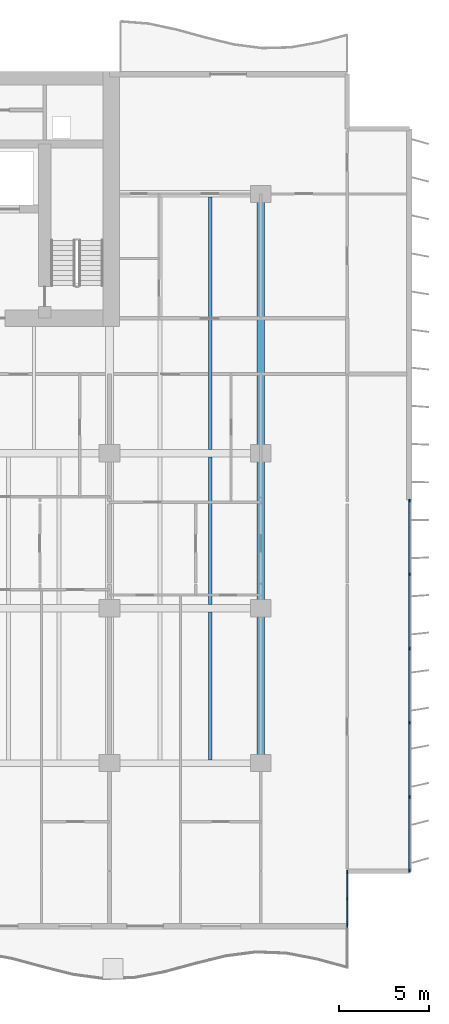
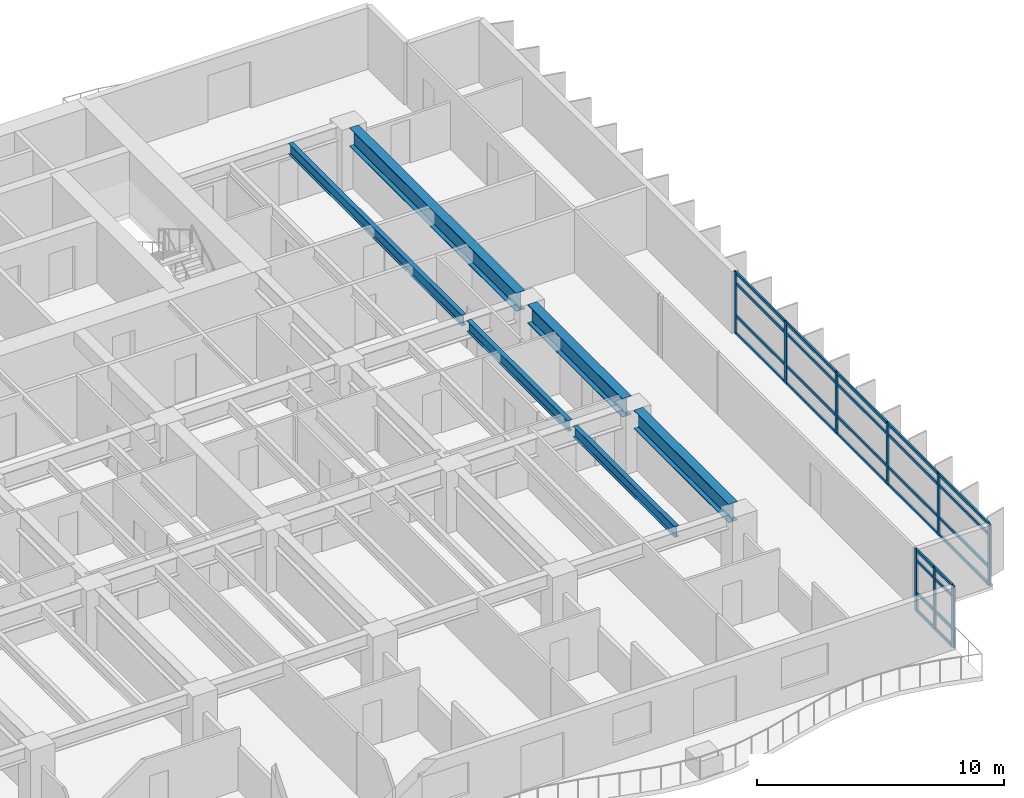
# One storey, part 4 of 17: 37 members, 6 beams, 2 elements without a shape of their own.
"""IFC4 building model written with IfcOpenShell, lengths in metres."""

from ifc_helpers import new_model, si_unit, direction, frame, origin, origin_2d, place, context, subcontext, project, spatial, rectangle, i_section, extrude, material, layer, layer_set, material_profile, profile_set, type_object, element, aggregate, save


model = new_model("IFC4")

# Units and contexts
model_context = context("Model", 3, precision=1e-05, world=origin(), true_north=direction((0.0, 1.0)))
body_context = subcontext(model_context, "Body", "Model", "MODEL_VIEW")
ifc_project = project(units=[si_unit("LENGTHUNIT", "METRE"), si_unit("AREAUNIT", "SQUARE_METRE"), si_unit("VOLUMEUNIT", "CUBIC_METRE"), si_unit("PLANEANGLEUNIT", "RADIAN"), si_unit("MASSUNIT", "GRAM", prefix="KILO")], contexts=[model_context])

# Site, building, storey
site_placement = place(None, origin())
site = spatial("IfcSite", under=ifc_project, at=site_placement, CompositionType="ELEMENT")
building_placement = place(site_placement, origin())
building = spatial("IfcBuilding", under=site, at=building_placement, Name="Caelmar Bay Residences", CompositionType="ELEMENT")
storey_placement = place(building_placement, frame((0.0, 0.0, 63.0)))
storey = spatial("IfcBuildingStorey", under=building, at=storey_placement, Name="L16", CompositionType="ELEMENT", Elevation=63.0)

# Beams
ifc_material_1 = material(Name="Steel ASTM A992 Grade 50", Category="steel")
ifc_material_profile_1 = material_profile(ifc_material_1, i_section(OverallWidth=0.422119140625, OverallDepth=0.925048828125, WebThickness=0.021240234375, FlangeThickness=0.03662109375, FilletRadius=0.020263671875, at=origin_2d()), Name="W36X262")
ifc_profile_set_1 = profile_set([ifc_material_profile_1], Name="Steel ASTM A992 Grade 50")
beam_type_1 = type_object("IfcBeamType", Name="BM-GRD-W36X262", PredefinedType="BEAM", material=ifc_profile_set_1)
beam_1_placement = place(storey_placement, frame((67.89990234375, 12.6650390625, 2.58740234375), z_axis=(0.0, 1.0, 0.0), x_axis=(-1.0, 0.0, 0.0)))
element("IfcBeam", 1, at=beam_1_placement, inside=storey, type_object=beam_type_1, Name="L16 North-South Girder X=67.90 (12.2-20.8)", PredefinedType="BEAM", context=body_context, shape_type="SweptSolid", body=[
    extrude(i_section(OverallWidth=0.422119140625, OverallDepth=0.925048828125, WebThickness=0.021240234375, FlangeThickness=0.03662109375, FilletRadius=0.020263671875, at=origin_2d()), origin(), (0.0, 0.0, 1.0), 7.669921875),
])
beam_2_placement = place(storey_placement, frame((67.89990234375, 21.264892578125, 2.58740234375), z_axis=(0.0, 1.0, 0.0), x_axis=(-1.0, 0.0, 0.0)))
element("IfcBeam", 2, at=beam_2_placement, inside=storey, type_object=beam_type_1, Name="L16 North-South Girder X=67.90 (20.8-29.4)", PredefinedType="BEAM", context=body_context, shape_type="SweptSolid", body=[
    extrude(i_section(OverallWidth=0.422119140625, OverallDepth=0.925048828125, WebThickness=0.021240234375, FlangeThickness=0.03662109375, FilletRadius=0.020263671875, at=origin_2d()), origin(), (0.0, 0.0, 1.0), 7.670166015625),
])
beam_3_placement = place(storey_placement, frame((67.89990234375, 29.864990234375, 2.58740234375), z_axis=(0.0, 1.0, 0.0), x_axis=(-1.0, 0.0, 0.0)))
element("IfcBeam", 3, at=beam_3_placement, inside=storey, type_object=beam_type_1, Name="L16 North-South Girder X=67.90 (29.4-43.8)", PredefinedType="BEAM", context=body_context, shape_type="SweptSolid", body=[
    extrude(i_section(OverallWidth=0.422119140625, OverallDepth=0.925048828125, WebThickness=0.021240234375, FlangeThickness=0.03662109375, FilletRadius=0.020263671875, at=origin_2d()), origin(), (0.0, 0.0, 1.0), 13.469970703125),
])
ifc_material_profile_2 = material_profile(ifc_material_1, i_section(OverallWidth=0.2099609375, OverallDepth=0.535888671875, WebThickness=0.010986328125, FlangeThickness=0.017333984375, FilletRadius=0.0126953125, at=origin_2d()), Name="W21X68")
ifc_profile_set_2 = profile_set([ifc_material_profile_2], Name="Steel ASTM A992 Grade 50")
beam_type_2 = type_object("IfcBeamType", Name="BM-JST-W21X68", PredefinedType="JOIST", material=ifc_profile_set_2)
beam_4_placement = place(storey_placement, frame((65.10009765625, 12.3779296875, 2.781982421875), z_axis=(0.0, 1.0, 0.0), x_axis=(-1.0, 0.0, 0.0)))
element("IfcBeam", 4, at=beam_4_placement, inside=storey, type_object=beam_type_2, Name="L16 Composite Floor Joist 14", PredefinedType="JOIST", context=body_context, shape_type="SweptSolid", body=[
    extrude(i_section(OverallWidth=0.2099609375, OverallDepth=0.535888671875, WebThickness=0.010986328125, FlangeThickness=0.017333984375, FilletRadius=0.0126953125, at=origin_2d()), origin(), (0.0, 0.0, 1.0), 8.211181640625),
])
beam_5_placement = place(storey_placement, frame((65.10009765625, 21.010986328125, 2.781982421875), z_axis=(0.0, 1.0, 0.0), x_axis=(-1.0, 0.0, 0.0)))
element("IfcBeam", 5, at=beam_5_placement, inside=storey, type_object=beam_type_2, Name="L16 Composite Floor Joist 28", PredefinedType="JOIST", context=body_context, shape_type="SweptSolid", body=[
    extrude(i_section(OverallWidth=0.2099609375, OverallDepth=0.535888671875, WebThickness=0.010986328125, FlangeThickness=0.017333984375, FilletRadius=0.0126953125, at=origin_2d()), origin(), (0.0, 0.0, 1.0), 8.177978515625),
])
beam_6_placement = place(storey_placement, frame((65.10009765625, 29.611083984375, 2.781982421875), z_axis=(0.0, 1.0, 0.0), x_axis=(-1.0, 0.0, 0.0)))
element("IfcBeam", 6, at=beam_6_placement, inside=storey, type_object=beam_type_2, Name="L16 Composite Floor Joist 37", PredefinedType="JOIST", context=body_context, shape_type="SweptSolid", body=[
    extrude(i_section(OverallWidth=0.2099609375, OverallDepth=0.535888671875, WebThickness=0.010986328125, FlangeThickness=0.017333984375, FilletRadius=0.0126953125, at=origin_2d()), origin(), (0.0, 0.0, 1.0), 14.010986328125),
])

# Curtain wall, members
ifc_material_2 = material(Name="Anodised bronze aluminium 6063-T6 and laminated glass", Category="aluminium")
ifc_layer_1 = layer(ifc_material_2, 0.179931640625)
ifc_layer_set_1 = layer_set([ifc_layer_1], Name="Anodised bronze aluminium 6063-T6 and laminated glass")
curtain_wall_type_1 = type_object("IfcCurtainWallType", Name="CW6-NTC", PredefinedType="NOTDEFINED", material=ifc_layer_set_1)
curtain_wall_1_placement = place(storey_placement, origin())
curtain_wall_1 = element("IfcCurtainWall", 7, at=curtain_wall_1_placement, inside=storey, type_object=curtain_wall_type_1, Name="CW6 curtain wall L16", PredefinedType="NOTDEFINED")
ifc_material_3 = material(Name="Anodised bronze aluminium 6063-T6", Category="aluminium")
ifc_material_profile_3 = material_profile(ifc_material_3, rectangle(XDim=0.080078125, YDim=0.179931640625, at=origin_2d()), Name="CWM-80X180")
ifc_profile_set_3 = profile_set([ifc_material_profile_3], Name="Anodised bronze aluminium 6063-T6")
member_type_1 = type_object("IfcMemberType", Name="CWM-180", PredefinedType="MULLION", material=ifc_profile_set_3)
member_1_placement = place(storey_placement, frame((72.699951171875, 3.18994140625, 0.0), z_axis=(0.0, 0.0, 1.0), x_axis=(-1.0, 0.0, 0.0)))
member_1 = element("IfcMember", 8, at=member_1_placement, type_object=member_type_1, Name="CW6 mullion 1", PredefinedType="MULLION", context=body_context, shape_type="SweptSolid", body=[
    extrude(rectangle(XDim=0.080078125, YDim=0.179931640625, at=origin_2d()), origin(), (0.0, 0.0, 1.0), 3.050048828125),
])
member_2_placement = place(storey_placement, frame((72.699951171875, 4.675048828125, 0.0), z_axis=(0.0, 0.0, 1.0), x_axis=(-1.0, 0.0, 0.0)))
member_2 = element("IfcMember", 9, at=member_2_placement, type_object=member_type_1, Name="CW6 mullion 2", PredefinedType="MULLION", context=body_context, shape_type="SweptSolid", body=[
    extrude(rectangle(XDim=0.080078125, YDim=0.179931640625, at=origin_2d()), origin(), (0.0, 0.0, 1.0), 3.050048828125),
])
member_3_placement = place(storey_placement, frame((72.699951171875, 6.159912109375, 0.0), z_axis=(0.0, 0.0, 1.0), x_axis=(-1.0, 0.0, 0.0)))
member_3 = element("IfcMember", 10, at=member_3_placement, type_object=member_type_1, Name="CW6 mullion 3", PredefinedType="MULLION", context=body_context, shape_type="SweptSolid", body=[
    extrude(rectangle(XDim=0.080078125, YDim=0.179931640625, at=origin_2d()), origin(), (0.0, 0.0, 1.0), 3.050048828125),
])

ifc_layer_2 = layer(ifc_material_2, 0.179931640625)
ifc_layer_set_2 = layer_set([ifc_layer_2], Name="Anodised bronze aluminium 6063-T6 and laminated glass")
curtain_wall_type_2 = type_object("IfcCurtainWallType", Name="CW2-Z1", PredefinedType="NOTDEFINED", material=ifc_layer_set_2)
curtain_wall_2_placement = place(storey_placement, origin())
curtain_wall_2 = element("IfcCurtainWall", 11, at=curtain_wall_2_placement, inside=storey, type_object=curtain_wall_type_2, Name="CW2 curtain wall L16", PredefinedType="NOTDEFINED")
member_4_placement = place(storey_placement, frame((76.14990234375, 26.760009765625, 0.0), z_axis=(0.0, 0.0, 1.0), x_axis=(1.0, 0.0, 0.0)))
member_4 = element("IfcMember", 12, at=member_4_placement, type_object=member_type_1, Name="CW2 mullion 1", PredefinedType="MULLION", context=body_context, shape_type="SweptSolid", body=[
    extrude(rectangle(XDim=0.080078125, YDim=0.179931640625, at=origin_2d()), origin(), (0.0, 0.0, 1.0), 3.050048828125),
])
member_5_placement = place(storey_placement, frame((76.14990234375, 22.679931640625, 0.0), z_axis=(0.0, 0.0, 1.0), x_axis=(1.0, 0.0, 0.0)))
member_5 = element("IfcMember", 13, at=member_5_placement, type_object=member_type_1, Name="CW2 mullion 2", PredefinedType="MULLION", context=body_context, shape_type="SweptSolid", body=[
    extrude(rectangle(XDim=0.080078125, YDim=0.179931640625, at=origin_2d()), origin(), (0.0, 0.0, 1.0), 3.050048828125),
])
member_6_placement = place(storey_placement, frame((76.14990234375, 18.56005859375, 0.0), z_axis=(0.0, 0.0, 1.0), x_axis=(1.0, 0.0, 0.0)))
member_6 = element("IfcMember", 14, at=member_6_placement, type_object=member_type_1, Name="CW2 mullion 3", PredefinedType="MULLION", context=body_context, shape_type="SweptSolid", body=[
    extrude(rectangle(XDim=0.080078125, YDim=0.179931640625, at=origin_2d()), origin(), (0.0, 0.0, 1.0), 3.050048828125),
])
member_7_placement = place(storey_placement, frame((76.14990234375, 14.43994140625, 0.0), z_axis=(0.0, 0.0, 1.0), x_axis=(1.0, 0.0, 0.0)))
member_7 = element("IfcMember", 15, at=member_7_placement, type_object=member_type_1, Name="CW2 mullion 4", PredefinedType="MULLION", context=body_context, shape_type="SweptSolid", body=[
    extrude(rectangle(XDim=0.080078125, YDim=0.179931640625, at=origin_2d()), origin(), (0.0, 0.0, 1.0), 3.050048828125),
])
member_8_placement = place(storey_placement, frame((76.14990234375, 10.320068359375, 0.0), z_axis=(0.0, 0.0, 1.0), x_axis=(1.0, 0.0, 0.0)))
member_8 = element("IfcMember", 16, at=member_8_placement, type_object=member_type_1, Name="CW2 mullion 5", PredefinedType="MULLION", context=body_context, shape_type="SweptSolid", body=[
    extrude(rectangle(XDim=0.080078125, YDim=0.179931640625, at=origin_2d()), origin(), (0.0, 0.0, 1.0), 3.050048828125),
])
member_9_placement = place(storey_placement, frame((76.14990234375, 6.239990234375, 0.0), z_axis=(0.0, 0.0, 1.0), x_axis=(1.0, 0.0, 0.0)))
member_9 = element("IfcMember", 17, at=member_9_placement, type_object=member_type_1, Name="CW2 mullion 6", PredefinedType="MULLION", context=body_context, shape_type="SweptSolid", body=[
    extrude(rectangle(XDim=0.080078125, YDim=0.179931640625, at=origin_2d()), origin(), (0.0, 0.0, 1.0), 3.050048828125),
])

# Member
ifc_material_profile_4 = material_profile(ifc_material_3, rectangle(XDim=0.080078125, YDim=0.139892578125, at=origin_2d()), Name="CWT-80X140")
ifc_profile_set_4 = profile_set([ifc_material_profile_4], Name="Anodised bronze aluminium 6063-T6")
member_type_2 = type_object("IfcMemberType", Name="CWT-140", PredefinedType="NOTDEFINED", material=ifc_profile_set_4)
member_10_placement = place(storey_placement, frame((72.699951171875, 3.22998046875, 0.0400390625), z_axis=(0.0, 1.0, 0.0), x_axis=(-1.0, 0.0, 0.0)))
member_10 = element("IfcMember", 18, at=member_10_placement, type_object=member_type_2, Name="CW6 transom 1.1", ObjectType="TRANSOM", PredefinedType="USERDEFINED", context=body_context, shape_type="SweptSolid", body=[
    extrude(rectangle(XDim=0.080078125, YDim=0.139892578125, at=origin_2d()), origin(), (0.0, 0.0, 1.0), 1.405029296875),
])

member_11_placement = place(storey_placement, frame((72.699951171875, 3.22998046875, 0.89990234375), z_axis=(0.0, 1.0, 0.0), x_axis=(-1.0, 0.0, 0.0)))
member_11 = element("IfcMember", 19, at=member_11_placement, type_object=member_type_2, Name="CW6 transom 1.2", ObjectType="TRANSOM", PredefinedType="USERDEFINED", context=body_context, shape_type="SweptSolid", body=[
    extrude(rectangle(XDim=0.080078125, YDim=0.139892578125, at=origin_2d()), origin(), (0.0, 0.0, 1.0), 1.405029296875),
])

member_12_placement = place(storey_placement, frame((72.699951171875, 3.22998046875, 2.5), z_axis=(0.0, 1.0, 0.0), x_axis=(-1.0, 0.0, 0.0)))
member_12 = element("IfcMember", 20, at=member_12_placement, type_object=member_type_2, Name="CW6 transom 1.3", ObjectType="TRANSOM", PredefinedType="USERDEFINED", context=body_context, shape_type="SweptSolid", body=[
    extrude(rectangle(XDim=0.080078125, YDim=0.139892578125, at=origin_2d()), origin(), (0.0, 0.0, 1.0), 1.405029296875),
])

member_13_placement = place(storey_placement, frame((72.699951171875, 3.22998046875, 3.010009765625), z_axis=(0.0, 1.0, 0.0), x_axis=(-1.0, 0.0, 0.0)))
member_13 = element("IfcMember", 21, at=member_13_placement, type_object=member_type_2, Name="CW6 transom 1.4", ObjectType="TRANSOM", PredefinedType="USERDEFINED", context=body_context, shape_type="SweptSolid", body=[
    extrude(rectangle(XDim=0.080078125, YDim=0.139892578125, at=origin_2d()), origin(), (0.0, 0.0, 1.0), 1.405029296875),
])

member_14_placement = place(storey_placement, frame((72.699951171875, 4.715087890625, 0.0400390625), z_axis=(0.0, 1.0, 0.0), x_axis=(-1.0, 0.0, 0.0)))
member_14 = element("IfcMember", 22, at=member_14_placement, type_object=member_type_2, Name="CW6 transom 2.1", ObjectType="TRANSOM", PredefinedType="USERDEFINED", context=body_context, shape_type="SweptSolid", body=[
    extrude(rectangle(XDim=0.080078125, YDim=0.139892578125, at=origin_2d()), origin(), (0.0, 0.0, 1.0), 1.405029296875),
])

member_15_placement = place(storey_placement, frame((72.699951171875, 4.715087890625, 0.89990234375), z_axis=(0.0, 1.0, 0.0), x_axis=(-1.0, 0.0, 0.0)))
member_15 = element("IfcMember", 23, at=member_15_placement, type_object=member_type_2, Name="CW6 transom 2.2", ObjectType="TRANSOM", PredefinedType="USERDEFINED", context=body_context, shape_type="SweptSolid", body=[
    extrude(rectangle(XDim=0.080078125, YDim=0.139892578125, at=origin_2d()), origin(), (0.0, 0.0, 1.0), 1.405029296875),
])

member_16_placement = place(storey_placement, frame((72.699951171875, 4.715087890625, 2.5), z_axis=(0.0, 1.0, 0.0), x_axis=(-1.0, 0.0, 0.0)))
member_16 = element("IfcMember", 24, at=member_16_placement, type_object=member_type_2, Name="CW6 transom 2.3", ObjectType="TRANSOM", PredefinedType="USERDEFINED", context=body_context, shape_type="SweptSolid", body=[
    extrude(rectangle(XDim=0.080078125, YDim=0.139892578125, at=origin_2d()), origin(), (0.0, 0.0, 1.0), 1.405029296875),
])

member_17_placement = place(storey_placement, frame((72.699951171875, 4.715087890625, 3.010009765625), z_axis=(0.0, 1.0, 0.0), x_axis=(-1.0, 0.0, 0.0)))
member_17 = element("IfcMember", 25, at=member_17_placement, type_object=member_type_2, Name="CW6 transom 2.4", ObjectType="TRANSOM", PredefinedType="USERDEFINED", context=body_context, shape_type="SweptSolid", body=[
    extrude(rectangle(XDim=0.080078125, YDim=0.139892578125, at=origin_2d()), origin(), (0.0, 0.0, 1.0), 1.405029296875),
])

aggregate(curtain_wall_1, [member_1, member_2, member_3, member_10, member_11, member_12, member_13, member_14, member_15, member_16, member_17])

member_18_placement = place(storey_placement, frame((76.14990234375, 26.719970703125, 0.0400390625), z_axis=(0.0, -1.0, 0.0), x_axis=(1.0, 0.0, 0.0)))
member_18 = element("IfcMember", 26, at=member_18_placement, type_object=member_type_2, Name="CW2 transom 1.1", ObjectType="TRANSOM", PredefinedType="USERDEFINED", context=body_context, shape_type="SweptSolid", body=[
    extrude(rectangle(XDim=0.080078125, YDim=0.139892578125, at=origin_2d()), origin(), (0.0, 0.0, 1.0), 4.0),
])

member_19_placement = place(storey_placement, frame((76.14990234375, 26.719970703125, 0.89990234375), z_axis=(0.0, -1.0, 0.0), x_axis=(1.0, 0.0, 0.0)))
member_19 = element("IfcMember", 27, at=member_19_placement, type_object=member_type_2, Name="CW2 transom 1.2", ObjectType="TRANSOM", PredefinedType="USERDEFINED", context=body_context, shape_type="SweptSolid", body=[
    extrude(rectangle(XDim=0.080078125, YDim=0.139892578125, at=origin_2d()), origin(), (0.0, 0.0, 1.0), 4.0),
])

member_20_placement = place(storey_placement, frame((76.14990234375, 26.719970703125, 2.5), z_axis=(0.0, -1.0, 0.0), x_axis=(1.0, 0.0, 0.0)))
member_20 = element("IfcMember", 28, at=member_20_placement, type_object=member_type_2, Name="CW2 transom 1.3", ObjectType="TRANSOM", PredefinedType="USERDEFINED", context=body_context, shape_type="SweptSolid", body=[
    extrude(rectangle(XDim=0.080078125, YDim=0.139892578125, at=origin_2d()), origin(), (0.0, 0.0, 1.0), 4.0),
])

member_21_placement = place(storey_placement, frame((76.14990234375, 26.719970703125, 3.010009765625), z_axis=(0.0, -1.0, 0.0), x_axis=(1.0, 0.0, 0.0)))
member_21 = element("IfcMember", 29, at=member_21_placement, type_object=member_type_2, Name="CW2 transom 1.4", ObjectType="TRANSOM", PredefinedType="USERDEFINED", context=body_context, shape_type="SweptSolid", body=[
    extrude(rectangle(XDim=0.080078125, YDim=0.139892578125, at=origin_2d()), origin(), (0.0, 0.0, 1.0), 4.0),
])

member_22_placement = place(storey_placement, frame((76.14990234375, 22.639892578125, 0.0400390625), z_axis=(0.0, -1.0, 0.0), x_axis=(1.0, 0.0, 0.0)))
member_22 = element("IfcMember", 30, at=member_22_placement, type_object=member_type_2, Name="CW2 transom 2.1", ObjectType="TRANSOM", PredefinedType="USERDEFINED", context=body_context, shape_type="SweptSolid", body=[
    extrude(rectangle(XDim=0.080078125, YDim=0.139892578125, at=origin_2d()), origin(), (0.0, 0.0, 1.0), 4.039794921875),
])

member_23_placement = place(storey_placement, frame((76.14990234375, 22.639892578125, 0.89990234375), z_axis=(0.0, -1.0, 0.0), x_axis=(1.0, 0.0, 0.0)))
member_23 = element("IfcMember", 31, at=member_23_placement, type_object=member_type_2, Name="CW2 transom 2.2", ObjectType="TRANSOM", PredefinedType="USERDEFINED", context=body_context, shape_type="SweptSolid", body=[
    extrude(rectangle(XDim=0.080078125, YDim=0.139892578125, at=origin_2d()), origin(), (0.0, 0.0, 1.0), 4.039794921875),
])

member_24_placement = place(storey_placement, frame((76.14990234375, 22.639892578125, 2.5), z_axis=(0.0, -1.0, 0.0), x_axis=(1.0, 0.0, 0.0)))
member_24 = element("IfcMember", 32, at=member_24_placement, type_object=member_type_2, Name="CW2 transom 2.3", ObjectType="TRANSOM", PredefinedType="USERDEFINED", context=body_context, shape_type="SweptSolid", body=[
    extrude(rectangle(XDim=0.080078125, YDim=0.139892578125, at=origin_2d()), origin(), (0.0, 0.0, 1.0), 4.039794921875),
])

member_25_placement = place(storey_placement, frame((76.14990234375, 22.639892578125, 3.010009765625), z_axis=(0.0, -1.0, 0.0), x_axis=(1.0, 0.0, 0.0)))
member_25 = element("IfcMember", 33, at=member_25_placement, type_object=member_type_2, Name="CW2 transom 2.4", ObjectType="TRANSOM", PredefinedType="USERDEFINED", context=body_context, shape_type="SweptSolid", body=[
    extrude(rectangle(XDim=0.080078125, YDim=0.139892578125, at=origin_2d()), origin(), (0.0, 0.0, 1.0), 4.039794921875),
])

member_26_placement = place(storey_placement, frame((76.14990234375, 18.52001953125, 0.0400390625), z_axis=(0.0, -1.0, 0.0), x_axis=(1.0, 0.0, 0.0)))
member_26 = element("IfcMember", 34, at=member_26_placement, type_object=member_type_2, Name="CW2 transom 3.1", ObjectType="TRANSOM", PredefinedType="USERDEFINED", context=body_context, shape_type="SweptSolid", body=[
    extrude(rectangle(XDim=0.080078125, YDim=0.139892578125, at=origin_2d()), origin(), (0.0, 0.0, 1.0), 4.0400390625),
])

member_27_placement = place(storey_placement, frame((76.14990234375, 18.52001953125, 0.89990234375), z_axis=(0.0, -1.0, 0.0), x_axis=(1.0, 0.0, 0.0)))
member_27 = element("IfcMember", 35, at=member_27_placement, type_object=member_type_2, Name="CW2 transom 3.2", ObjectType="TRANSOM", PredefinedType="USERDEFINED", context=body_context, shape_type="SweptSolid", body=[
    extrude(rectangle(XDim=0.080078125, YDim=0.139892578125, at=origin_2d()), origin(), (0.0, 0.0, 1.0), 4.0400390625),
])

member_28_placement = place(storey_placement, frame((76.14990234375, 18.52001953125, 2.5), z_axis=(0.0, -1.0, 0.0), x_axis=(1.0, 0.0, 0.0)))
member_28 = element("IfcMember", 36, at=member_28_placement, type_object=member_type_2, Name="CW2 transom 3.3", ObjectType="TRANSOM", PredefinedType="USERDEFINED", context=body_context, shape_type="SweptSolid", body=[
    extrude(rectangle(XDim=0.080078125, YDim=0.139892578125, at=origin_2d()), origin(), (0.0, 0.0, 1.0), 4.0400390625),
])

member_29_placement = place(storey_placement, frame((76.14990234375, 18.52001953125, 3.010009765625), z_axis=(0.0, -1.0, 0.0), x_axis=(1.0, 0.0, 0.0)))
member_29 = element("IfcMember", 37, at=member_29_placement, type_object=member_type_2, Name="CW2 transom 3.4", ObjectType="TRANSOM", PredefinedType="USERDEFINED", context=body_context, shape_type="SweptSolid", body=[
    extrude(rectangle(XDim=0.080078125, YDim=0.139892578125, at=origin_2d()), origin(), (0.0, 0.0, 1.0), 4.0400390625),
])

member_30_placement = place(storey_placement, frame((76.14990234375, 14.39990234375, 0.0400390625), z_axis=(0.0, -1.0, 0.0), x_axis=(1.0, 0.0, 0.0)))
member_30 = element("IfcMember", 38, at=member_30_placement, type_object=member_type_2, Name="CW2 transom 4.1", ObjectType="TRANSOM", PredefinedType="USERDEFINED", context=body_context, shape_type="SweptSolid", body=[
    extrude(rectangle(XDim=0.080078125, YDim=0.139892578125, at=origin_2d()), origin(), (0.0, 0.0, 1.0), 4.039794921875),
])

member_31_placement = place(storey_placement, frame((76.14990234375, 14.39990234375, 0.89990234375), z_axis=(0.0, -1.0, 0.0), x_axis=(1.0, 0.0, 0.0)))
member_31 = element("IfcMember", 39, at=member_31_placement, type_object=member_type_2, Name="CW2 transom 4.2", ObjectType="TRANSOM", PredefinedType="USERDEFINED", context=body_context, shape_type="SweptSolid", body=[
    extrude(rectangle(XDim=0.080078125, YDim=0.139892578125, at=origin_2d()), origin(), (0.0, 0.0, 1.0), 4.039794921875),
])

member_32_placement = place(storey_placement, frame((76.14990234375, 14.39990234375, 2.5), z_axis=(0.0, -1.0, 0.0), x_axis=(1.0, 0.0, 0.0)))
member_32 = element("IfcMember", 40, at=member_32_placement, type_object=member_type_2, Name="CW2 transom 4.3", ObjectType="TRANSOM", PredefinedType="USERDEFINED", context=body_context, shape_type="SweptSolid", body=[
    extrude(rectangle(XDim=0.080078125, YDim=0.139892578125, at=origin_2d()), origin(), (0.0, 0.0, 1.0), 4.039794921875),
])

member_33_placement = place(storey_placement, frame((76.14990234375, 14.39990234375, 3.010009765625), z_axis=(0.0, -1.0, 0.0), x_axis=(1.0, 0.0, 0.0)))
member_33 = element("IfcMember", 41, at=member_33_placement, type_object=member_type_2, Name="CW2 transom 4.4", ObjectType="TRANSOM", PredefinedType="USERDEFINED", context=body_context, shape_type="SweptSolid", body=[
    extrude(rectangle(XDim=0.080078125, YDim=0.139892578125, at=origin_2d()), origin(), (0.0, 0.0, 1.0), 4.039794921875),
])

member_34_placement = place(storey_placement, frame((76.14990234375, 10.280029296875, 0.0400390625), z_axis=(0.0, -1.0, 0.0), x_axis=(1.0, 0.0, 0.0)))
member_34 = element("IfcMember", 42, at=member_34_placement, type_object=member_type_2, Name="CW2 transom 5.1", ObjectType="TRANSOM", PredefinedType="USERDEFINED", context=body_context, shape_type="SweptSolid", body=[
    extrude(rectangle(XDim=0.080078125, YDim=0.139892578125, at=origin_2d()), origin(), (0.0, 0.0, 1.0), 4.0),
])

member_35_placement = place(storey_placement, frame((76.14990234375, 10.280029296875, 0.89990234375), z_axis=(0.0, -1.0, 0.0), x_axis=(1.0, 0.0, 0.0)))
member_35 = element("IfcMember", 43, at=member_35_placement, type_object=member_type_2, Name="CW2 transom 5.2", ObjectType="TRANSOM", PredefinedType="USERDEFINED", context=body_context, shape_type="SweptSolid", body=[
    extrude(rectangle(XDim=0.080078125, YDim=0.139892578125, at=origin_2d()), origin(), (0.0, 0.0, 1.0), 4.0),
])

member_36_placement = place(storey_placement, frame((76.14990234375, 10.280029296875, 2.5), z_axis=(0.0, -1.0, 0.0), x_axis=(1.0, 0.0, 0.0)))
member_36 = element("IfcMember", 44, at=member_36_placement, type_object=member_type_2, Name="CW2 transom 5.3", ObjectType="TRANSOM", PredefinedType="USERDEFINED", context=body_context, shape_type="SweptSolid", body=[
    extrude(rectangle(XDim=0.080078125, YDim=0.139892578125, at=origin_2d()), origin(), (0.0, 0.0, 1.0), 4.0),
])

member_37_placement = place(storey_placement, frame((76.14990234375, 10.280029296875, 3.010009765625), z_axis=(0.0, -1.0, 0.0), x_axis=(1.0, 0.0, 0.0)))
member_37 = element("IfcMember", 45, at=member_37_placement, type_object=member_type_2, Name="CW2 transom 5.4", ObjectType="TRANSOM", PredefinedType="USERDEFINED", context=body_context, shape_type="SweptSolid", body=[
    extrude(rectangle(XDim=0.080078125, YDim=0.139892578125, at=origin_2d()), origin(), (0.0, 0.0, 1.0), 4.0),
])

aggregate(curtain_wall_2, [member_4, member_5, member_6, member_7, member_8, member_9, member_18, member_19, member_20, member_21, member_22, member_23, member_24, member_25, member_26, member_27, member_28, member_29, member_30, member_31, member_32, member_33, member_34, member_35, member_36, member_37])

save(model, "model.ifc")
